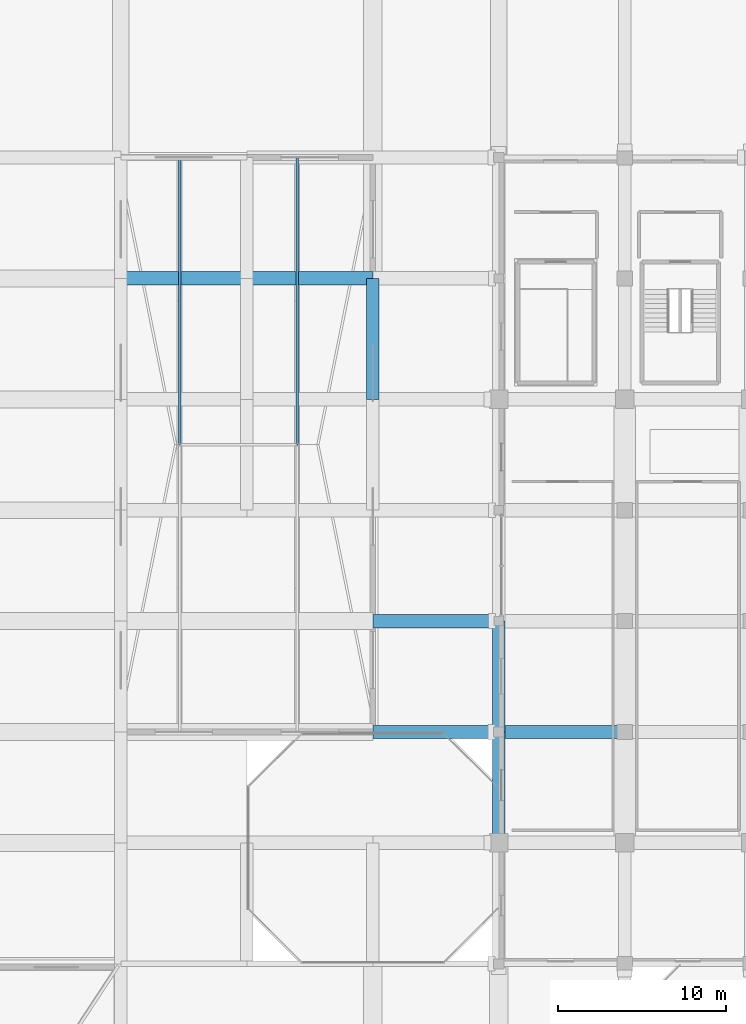
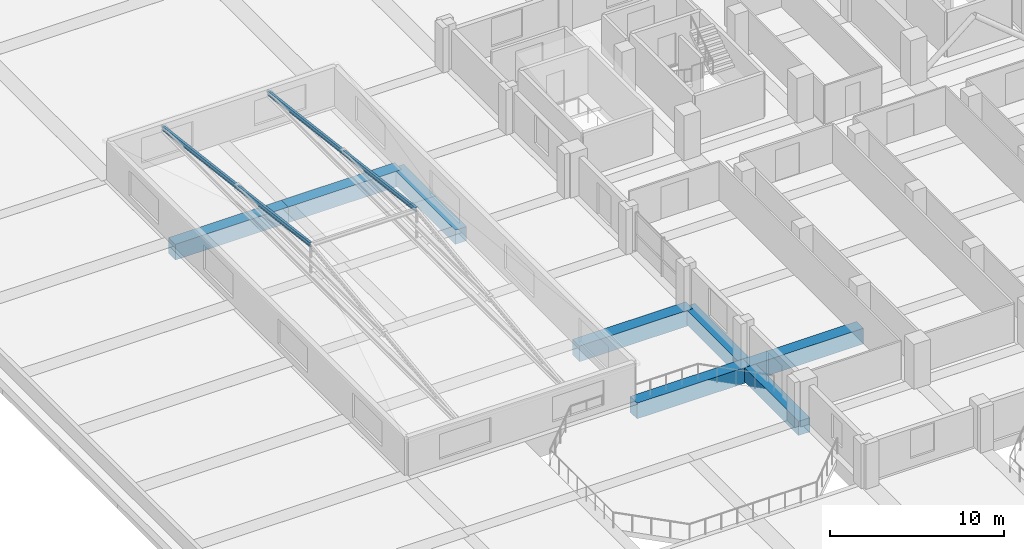
# One storey, part 8 of 49: 8 beams, 2 members.
"""IFC4 building model written with IfcOpenShell, lengths in metres."""

from ifc_helpers import new_model, si_unit, direction, frame, origin, origin_2d, place, context, subcontext, project, spatial, rectangle, i_section, extrude, material, material_profile, profile_set, type_object, element, save


model = new_model("IFC4")

# Units and contexts
model_context = context("Model", 3, precision=1e-05, world=origin(), true_north=direction((0.0, 1.0)))
body_context = subcontext(model_context, "Body", "Model", "MODEL_VIEW")
ifc_project = project(units=[si_unit("LENGTHUNIT", "METRE"), si_unit("AREAUNIT", "SQUARE_METRE"), si_unit("VOLUMEUNIT", "CUBIC_METRE"), si_unit("PLANEANGLEUNIT", "RADIAN"), si_unit("MASSUNIT", "GRAM", prefix="KILO")], contexts=[model_context])

# Site, building, storey
site_placement = place(None, origin())
site = spatial("IfcSite", under=ifc_project, at=site_placement, CompositionType="ELEMENT")
building_placement = place(site_placement, origin())
building = spatial("IfcBuilding", under=site, at=building_placement, Name="Akrevak Sports Hall", CompositionType="ELEMENT")
storey_placement = place(building_placement, frame((0.0, 0.0, 24.14990234375)))
storey = spatial("IfcBuildingStorey", under=building, at=storey_placement, Name="L04", CompositionType="ELEMENT", Elevation=24.14990234375)

# Beams
ifc_material_1 = material(Name="Concrete C50/60", Category="concrete")
ifc_material_profile_1 = material_profile(ifc_material_1, rectangle(XDim=0.75, YDim=1.0, at=origin_2d()), Name="BM 750x1000", Category="concrete")
ifc_profile_set_1 = profile_set([ifc_material_profile_1], Name="Concrete C50/60")
beam_type_1 = type_object("IfcBeamType", Name="STR-BM-RC750x1000", PredefinedType="BEAM", material=ifc_profile_set_1)
beam_1_placement = place(storey_placement, frame((30.0, 55.199951171875, -0.5), z_axis=(0.0, 1.0, 0.0), x_axis=(-1.0, 0.0, 0.0)))
element("IfcBeam", 1, at=beam_1_placement, inside=storey, type_object=beam_type_1, Name="Girder 5/I-J (L04)", PredefinedType="BEAM", context=body_context, shape_type="SweptSolid", body=[
    extrude(rectangle(XDim=0.75, YDim=1.0, at=origin_2d()), origin(), (0.0, 0.0, 1.0), 7.199951171875),
])
beam_2_placement = place(storey_placement, frame((37.5, 28.800048828125, -0.5), z_axis=(0.0, 1.0, 0.0), x_axis=(-1.0, 0.0, 0.0)))
element("IfcBeam", 2, at=beam_2_placement, inside=storey, type_object=beam_type_1, Name="Girder 6/E-F (L04)", PredefinedType="BEAM", context=body_context, shape_type="SweptSolid", body=[
    extrude(rectangle(XDim=0.75, YDim=1.0, at=origin_2d()), origin(), (0.0, 0.0, 1.0), 6.599853515625),
])
beam_3_placement = place(storey_placement, frame((37.5, 35.39990234375, -0.5), z_axis=(0.0, 1.0, 0.0), x_axis=(-1.0, 0.0, 0.0)))
element("IfcBeam", 3, at=beam_3_placement, inside=storey, type_object=beam_type_1, Name="Girder 6/F-G (L04)", PredefinedType="BEAM", context=body_context, shape_type="SweptSolid", body=[
    extrude(rectangle(XDim=0.75, YDim=1.0, at=origin_2d()), origin(), (0.0, 0.0, 1.0), 6.60009765625),
])
ifc_material_profile_2 = material_profile(ifc_material_1, rectangle(XDim=0.800048828125, YDim=1.10009765625, at=origin_2d()), Name="BM 800x1100", Category="concrete")
ifc_profile_set_2 = profile_set([ifc_material_profile_2], Name="Concrete C50/60")
beam_type_2 = type_object("IfcBeamType", Name="STR-BM-RC800x1100", PredefinedType="BEAM", material=ifc_profile_set_2)
for number, where, z_axis, x_axis, name in (
    (4, (30.0, 35.39990234375, -0.5498046875), (1.0, 0.0, 0.0), (0.0, 1.0, 0.0), "Girder F/5-6 (L04)"),
    (5, (37.5, 35.39990234375, -0.5498046875), (1.0, 0.0, 0.0), (0.0, 1.0, 0.0), "Girder F/6-7 (L04)"),
    (6, (30.0, 42.0, -0.5498046875), (1.0, 0.0, 0.0), (0.0, 1.0, 0.0), "Girder G/5-6 (L04)"),
    (7, (15.0, 62.39990234375, -0.5498046875), (1.0, 0.0, 0.0), (0.0, 1.0, 0.0), "Girder J/3-4 (L04)"),
    (8, (22.5, 62.39990234375, -0.5498046875), (1.0, 0.0, 0.0), (0.0, 1.0, 0.0), "Girder J/4-5 (L04)"),
):
    element("IfcBeam", number, at=place(storey_placement, frame(where, z_axis=z_axis, x_axis=x_axis)), inside=storey, type_object=beam_type_2, Name=name, PredefinedType="BEAM", context=body_context, shape_type="SweptSolid", body=[
        extrude(rectangle(XDim=0.800048828125, YDim=1.10009765625, at=origin_2d()), origin(), (0.0, 0.0, 1.0), 7.5),
    ])

# Members
ifc_material_2 = material(Name="Steel S355", Category="steel")
ifc_material_profile_3 = material_profile(ifc_material_2, i_section(OverallWidth=0.14990234375, OverallDepth=0.300048828125, WebThickness=0.007080078125, FlangeThickness=0.0107421875, FilletRadius=0.014892578125, at=origin_2d()), Name="IPE 300", Category="steel")
ifc_profile_set_3 = profile_set([ifc_material_profile_3], Name="Steel S355")
member_type = type_object("IfcMemberType", Name="STR-MEM-RAF-IPE300", PredefinedType="RAFTER", material=ifc_profile_set_3)
for number, where, z_axis, x_axis, name in (
    (9, (18.5, 69.60009765625, 2.400146484375), (0.0, -0.992332272014, 0.123598794167), (1.0, 0.0, 0.0), "West Sports Hall Clerestory Monitor Roof North Steel Rafter 1"),
    (10, (25.5, 69.60009765625, 2.400146484375), (0.0, -0.992332272014, 0.123598794167), (1.0, 0.0, 0.0), "West Sports Hall Clerestory Monitor Roof North Steel Rafter 2"),
):
    element("IfcMember", number, at=place(storey_placement, frame(where, z_axis=z_axis, x_axis=x_axis)), inside=storey, type_object=member_type, Name=name, PredefinedType="RAFTER", context=body_context, shape_type="SweptSolid", body=[
        extrude(i_section(OverallWidth=0.14990234375, OverallDepth=0.300048828125, WebThickness=0.007080078125, FlangeThickness=0.0107421875, FilletRadius=0.014892578125, at=origin_2d()), origin(), (0.0, 0.0, 1.0), 17.232177734375),
    ])

save(model, "model.ifc")
